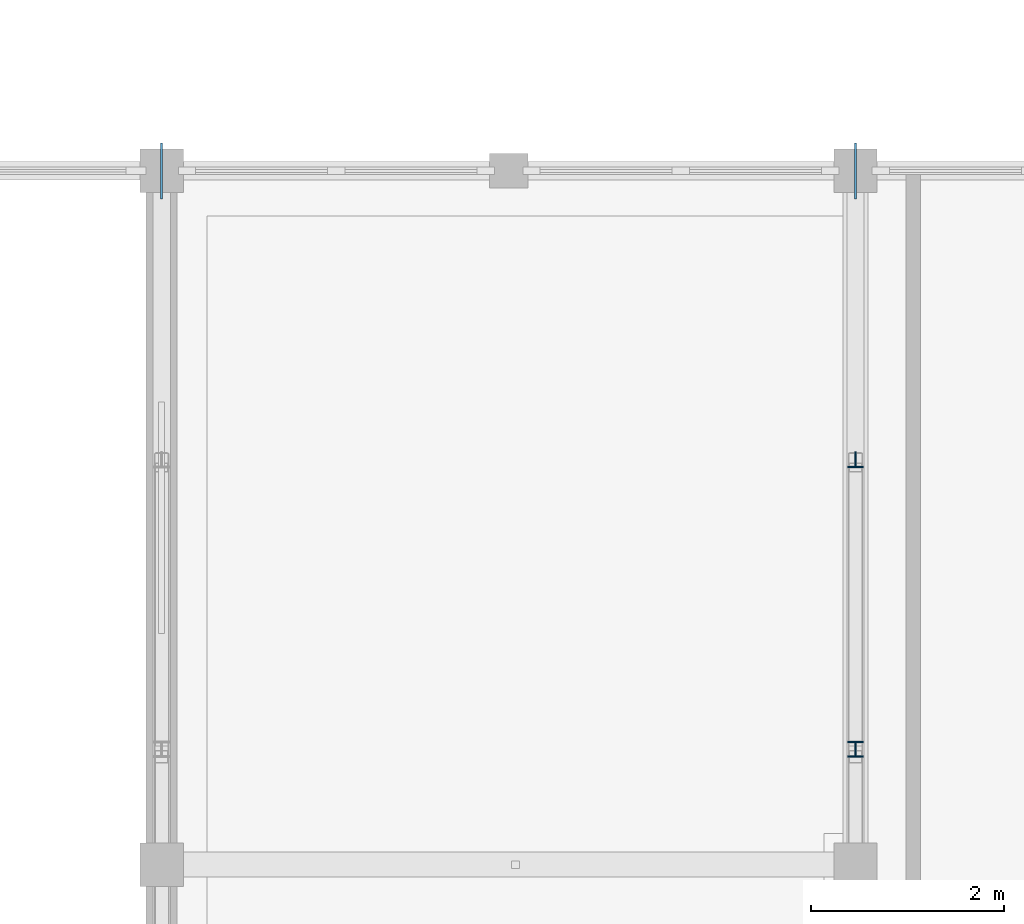
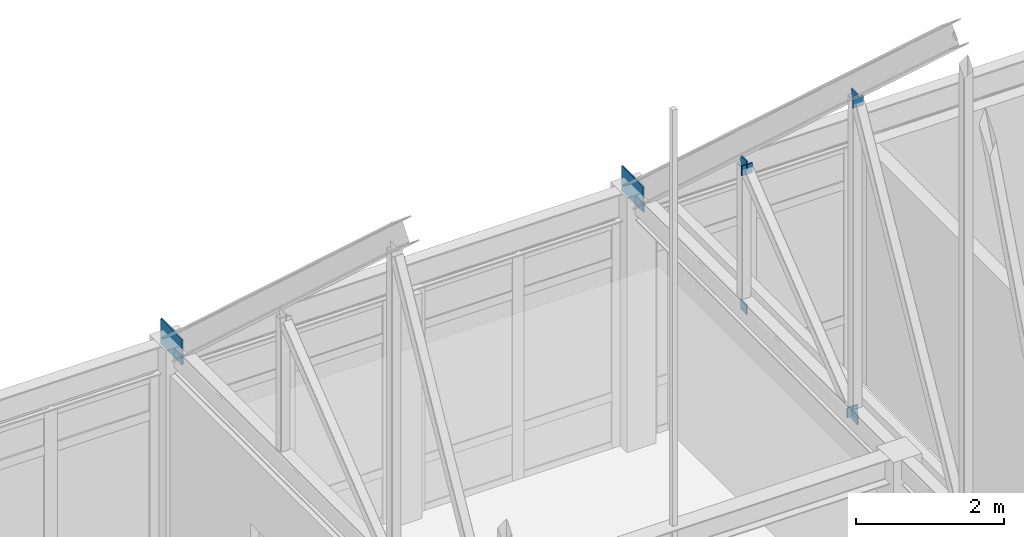
# One storey, part 107 of 136: 9 plates.
"""IFC4 building model written with IfcOpenShell, lengths in metres."""

import ifcopenshell
import ifcopenshell.guid

model = None  # the IFC model being written
_history = None  # IfcOwnerHistory: only IFC2X3 demands one
_inside = {}  # id of a spatial element -> (the spatial element, [elements in it])
_under = {}  # id of a project, library or spatial element -> (it, [spatial elements below it])
_declared = {}  # id of a project -> (the project, [libraries it declares])
_typed = {}  # id of a type object -> (the type object, [elements of that type])
_made_of = {}  # id of a material, layer set ... -> (it, [elements and type objects made of it])


def new_model(schema):
    """Start an empty IFC model of exactly this schema.

    Asked for "IFC4X3", IfcOpenShell would pick the latest addendum, in which some entities
    have other attributes; the version numbers below select the first issue.
    IFC2X3 requires an IfcOwnerHistory on every rooted entity: one is made here for all.
    """
    global model, _history
    if schema == "IFC4X3":
        model = ifcopenshell.file(schema_version=(4, 3, 0, 0))
    else:
        model = ifcopenshell.file(schema=schema)
    _inside.clear()
    _under.clear()
    _declared.clear()
    _typed.clear()
    _made_of.clear()
    _history = None
    if model.schema == "IFC2X3":
        org = make("IfcOrganization", Name="unknown")
        user = make(
            "IfcPersonAndOrganization",
            ThePerson=make("IfcPerson", FamilyName="unknown"),
            TheOrganization=org,
        )
        app = make(
            "IfcApplication",
            ApplicationDeveloper=org,
            Version="unknown",
            ApplicationFullName="unknown",
            ApplicationIdentifier="unknown",
        )
        _history = make(
            "IfcOwnerHistory",
            OwningUser=user,
            OwningApplication=app,
            ChangeAction="ADDED",
            CreationDate=0,
        )
    return model


def make(cls, **values):
    """One entity of the class cls with the attributes given. An attribute that is None is left unset."""
    return model.create_entity(
        cls, **{name: value for name, value in values.items() if value is not None}
    )


def rooted(cls, **values):
    """An entity with a GlobalId (a new one), such as an element, a storey or a relation."""
    return make(cls, GlobalId=ifcopenshell.guid.new(), OwnerHistory=_history, **values)


def si_unit(unit_type, name, prefix=None):
    """IfcSIUnit, for example si_unit("LENGTHUNIT", "METRE", prefix="MILLI")."""
    return make("IfcSIUnit", UnitType=unit_type, Prefix=prefix, Name=name)


def assignment(units):
    """IfcUnitAssignment: the units of a project."""
    return None if units is None else make("IfcUnitAssignment", Units=units)


def point(xyz):
    """IfcCartesianPoint."""
    return None if xyz is None else make("IfcCartesianPoint", Coordinates=xyz)


def direction(xyz):
    """IfcDirection."""
    return None if xyz is None else make("IfcDirection", DirectionRatios=xyz)


def frame(location, z_axis=None, x_axis=None):
    """IfcAxis2Placement3D, a coordinate frame: its origin and axes. An axis left out is left unset."""
    return make(
        "IfcAxis2Placement3D",
        Location=point(location),
        Axis=direction(z_axis),
        RefDirection=direction(x_axis),
    )


def frame_2d(location, x_axis=None):
    """IfcAxis2Placement2D, a coordinate frame in the plane: its origin and x axis."""
    return make(
        "IfcAxis2Placement2D", Location=point(location), RefDirection=direction(x_axis)
    )


def origin():
    """The frame at (0, 0, 0) with its axes left unset."""
    return frame((0.0, 0.0, 0.0))


def origin_2d():
    """The frame at (0, 0) in the plane with its x axis left unset."""
    return frame_2d((0.0, 0.0))


def place(relative_to, where):
    """IfcLocalPlacement: puts the frame where relative to a parent placement (None: the world)."""
    return make(
        "IfcLocalPlacement", PlacementRelTo=relative_to, RelativePlacement=where
    )


def context(
    kind, dimensions, precision=None, world=None, true_north=None, identifier=None
):
    """IfcGeometricRepresentationContext, for example the 3D "Model" context."""
    return make(
        "IfcGeometricRepresentationContext",
        ContextIdentifier=identifier,
        ContextType=kind,
        CoordinateSpaceDimension=dimensions,
        Precision=precision,
        WorldCoordinateSystem=world,
        TrueNorth=true_north,
    )


def subcontext(parent, identifier, kind, view, scale=None):
    """IfcGeometricRepresentationSubContext, for example "Body" below "Model"."""
    return make(
        "IfcGeometricRepresentationSubContext",
        ContextIdentifier=identifier,
        ContextType=kind,
        ParentContext=parent,
        TargetScale=scale,
        TargetView=view,
    )


def project(units=None, contexts=None):
    """IfcProject with its units and contexts."""
    return rooted(
        "IfcProject",
        Name="project",
        RepresentationContexts=contexts,
        UnitsInContext=assignment(units),
    )


def spatial(cls, under=None, at=None, **own):
    """A site, building, storey or space (cls), placed at a placement, below another one or the project."""
    s = rooted(cls, ObjectPlacement=at, **own)
    if under is not None:
        _under.setdefault(under.id(), (under, []))[1].append(s)
    return s


def profile(cls, at=None, kind="AREA", **sizes):
    """A parametric profile (cls). Its sizes go by their IFC names, for example OverallWidth=200.0."""
    return make(cls, ProfileType=kind, Position=at, **sizes)


def rectangle(**sizes):
    """IfcRectangleProfileDef."""
    return profile("IfcRectangleProfileDef", **sizes)


def extrude(swept, where, along, depth):
    """IfcExtrudedAreaSolid: the profile swept, set in the frame where, extruded along a direction by depth."""
    return make(
        "IfcExtrudedAreaSolid",
        SweptArea=swept,
        Position=where,
        ExtrudedDirection=direction(along),
        Depth=depth,
    )


def shape(context_of_items, identifier, shape_type, items):
    """IfcShapeRepresentation: the items that make up one representation, for example the "Body"."""
    return make(
        "IfcShapeRepresentation",
        ContextOfItems=context_of_items,
        RepresentationIdentifier=identifier,
        RepresentationType=shape_type,
        Items=items,
    )


def material(Name=None, Category=None):
    """IfcMaterial."""
    return make("IfcMaterial", Name=Name, Category=Category)


def layer(
    of_material, thickness, ventilated=None, Name=None, Category=None, Priority=None
):
    """IfcMaterialLayer: one layer of a wall or slab, of a material (None: an air gap)."""
    return make(
        "IfcMaterialLayer",
        Material=of_material,
        LayerThickness=thickness,
        IsVentilated=ventilated,
        Name=Name,
        Category=Category,
        Priority=Priority,
    )


def layer_set(layers, Name=None):
    """IfcMaterialLayerSet."""
    return make("IfcMaterialLayerSet", MaterialLayers=layers, LayerSetName=Name)


def made_of(thing, what):
    """Note that an element or type object is made of a material, layer set ...; save() writes the relation."""
    if what is not None:
        _made_of.setdefault(what.id(), (what, []))[1].append(thing)
    return thing


def type_object(cls, material=None, **own):
    """A type object (cls), such as IfcWallType, which elements share."""
    return made_of(rooted(cls, **own), material)


def element(
    cls,
    number,
    at=None,
    inside=None,
    cuts=None,
    type_object=None,
    material=None,
    context=None,
    identifier="Body",
    shape_type=None,
    held_by="IfcProductDefinitionShape",
    body=None,
    shapes=None,
    **own,
):
    """One element of the class cls, such as IfcWall. Its Tag is "e" and its number.

    at: its placement. inside: the storey or other place that contains it. cuts: it is an
    opening in that element (IfcRelVoidsElement). A single representation is given by context,
    identifier, shape_type and body (its items); several are given by shapes. held_by: the class
    of the entity that holds the representations. save() writes the other relations.
    """
    e = rooted(cls, Tag="e%d" % number, ObjectPlacement=at, **own)
    if body is not None:
        shapes = [shape(context, identifier, shape_type, body)]
    if shapes is not None:
        e.Representation = make(held_by, Representations=shapes)
    if inside is not None:
        _inside.setdefault(inside.id(), (inside, []))[1].append(e)
    if cuts is not None:
        rooted(
            "IfcRelVoidsElement", RelatingBuildingElement=cuts, RelatedOpeningElement=e
        )
    if type_object is not None:
        _typed.setdefault(type_object.id(), (type_object, []))[1].append(e)
    return made_of(e, material)


def aggregate(whole, parts):
    """IfcRelAggregates: a whole, such as a stair, and the parts it consists of."""
    return rooted("IfcRelAggregates", RelatingObject=whole, RelatedObjects=parts)


def save(model, path):
    """Write the relations noted so far, then the file.

    IfcRelAggregates (storeys below a building ...), IfcRelContainedInSpatialStructure (elements
    in a storey), IfcRelDefinesByType, IfcRelAssociatesMaterial and IfcRelDeclares: one each for
    every whole, place, type object, material and project.
    """
    for whole, parts in _under.values():
        aggregate(whole, parts)
    for where, things in _inside.values():
        rooted(
            "IfcRelContainedInSpatialStructure",
            RelatedElements=things,
            RelatingStructure=where,
        )
    for kind, things in _typed.values():
        rooted("IfcRelDefinesByType", RelatedObjects=things, RelatingType=kind)
    for what, things in _made_of.values():
        rooted("IfcRelAssociatesMaterial", RelatedObjects=things, RelatingMaterial=what)
    for by, libraries in _declared.values():
        rooted("IfcRelDeclares", RelatingContext=by, RelatedDefinitions=libraries)
    model.write(path)


model = new_model("IFC4")

# Units and contexts
model_context = context("Model", 3, precision=1e-05, world=origin(), true_north=direction((0.0, 1.0)))
body_context = subcontext(model_context, "Body", "Model", "MODEL_VIEW")
ifc_project = project(units=[si_unit("LENGTHUNIT", "METRE"), si_unit("AREAUNIT", "SQUARE_METRE"), si_unit("VOLUMEUNIT", "CUBIC_METRE"), si_unit("PLANEANGLEUNIT", "RADIAN"), si_unit("MASSUNIT", "GRAM", prefix="KILO")], contexts=[model_context])

# Site, building, storey
site_placement = place(None, origin())
site = spatial("IfcSite", under=ifc_project, at=site_placement, CompositionType="ELEMENT")
building_placement = place(site_placement, origin())
building = spatial("IfcBuilding", under=site, at=building_placement, Name="Koriwan Promenade Central Fire Station", CompositionType="ELEMENT")
storey_placement = place(building_placement, frame((0.0, 0.0, 5.39990234375)))
storey = spatial("IfcBuildingStorey", under=building, at=storey_placement, Name="L01", CompositionType="ELEMENT", Elevation=5.39990234375)

# Plates
ifc_material = material(Name="Steel ASTM A572 Grade 50", Category="steel")
ifc_layer_1 = layer(ifc_material, 0.01611328125, Name="Steel ASTM A572 Grade 50")
ifc_layer_set_1 = layer_set([ifc_layer_1], Name="Steel ASTM A572 Grade 50")
plate_type_1 = type_object("IfcPlateType", Name="EndCap_HSS150", PredefinedType="SHEET", material=ifc_layer_set_1)
for number, where, z_axis, x_axis, name in (
    (1, (108.0, 66.0, 3.9296875), (0.0, 0.0, 1.0), (1.0, 0.0, 0.0), "TR_V1_08 vertical 7 end cap 1"),
    (2, (108.0, 66.0, 9.232666015625), (0.0, 0.0, 1.0), (1.0, 0.0, 0.0), "TR_V1_08 vertical 7 end cap 2"),
    (3, (108.0, 69.0, 3.9296875), (0.0, 0.0, 1.0), (1.0, 0.0, 0.0), "TR_V1_08 vertical 8 end cap 1"),
    (4, (108.0, 69.0, 6.299072265625), (0.0, 0.0, 1.0), (1.0, 0.0, 0.0), "TR_V1_08 vertical 8 end cap 2"),
    (5, (108.0, 65.923828125, 9.181640625), (0.0, 0.0, 1.0), (0.0, 1.0, 0.0), "TR_V1_08 web diagonal 7 end cap 2"),
    (6, (108.0, 66.07373046875, 3.982666015625), (0.0, 0.0, 1.0), (0.0, 1.0, 0.0), "TR_V1_08 web diagonal 8 end cap 1"),
    (7, (108.0, 68.92626953125, 6.24609375), (0.0, 0.0, 1.0), (0.0, 1.0, 0.0), "TR_V1_08 web diagonal 8 end cap 2"),
):
    element("IfcPlate", number, at=place(storey_placement, frame(where, z_axis=z_axis, x_axis=x_axis)), inside=storey, type_object=plate_type_1, Name=name, PredefinedType="SHEET", context=body_context, shape_type="SweptSolid", body=[
        extrude(rectangle(XDim=0.01611328125, YDim=0.1650390625, at=origin_2d()), origin(), (0.0, 0.0, 1.0), 0.1650390625),
    ])
ifc_layer_2 = layer(ifc_material, 0.419921875, Name="Steel ASTM A572 Grade 50")
ifc_layer_set_2 = layer_set([ifc_layer_2], Name="Steel ASTM A572 Grade 50")
plate_type_2 = type_object("IfcPlateType", Name="NodeGusset_Eave", PredefinedType="SHEET", material=ifc_layer_set_2)
for number, where, z_axis, x_axis, name in (
    (8, (100.800048828125, 72.0, 3.93017578125), (0.0, 0.0, 1.0), (1.0, 0.0, 0.0), "TR_V1_07 eave node gusset TN-E1 (N)"),
    (9, (108.0, 72.0, 3.93017578125), (0.0, 0.0, 1.0), (1.0, 0.0, 0.0), "TR_V1_08 eave node gusset TN-E1 (N)"),
):
    element("IfcPlate", number, at=place(storey_placement, frame(where, z_axis=z_axis, x_axis=x_axis)), inside=storey, type_object=plate_type_2, Name=name, PredefinedType="SHEET", context=body_context, shape_type="SweptSolid", body=[
        extrude(rectangle(XDim=0.02197265625, YDim=0.580078125, at=origin_2d()), origin(), (0.0, 0.0, 1.0), 0.419921875),
    ])

save(model, "model.ifc")
